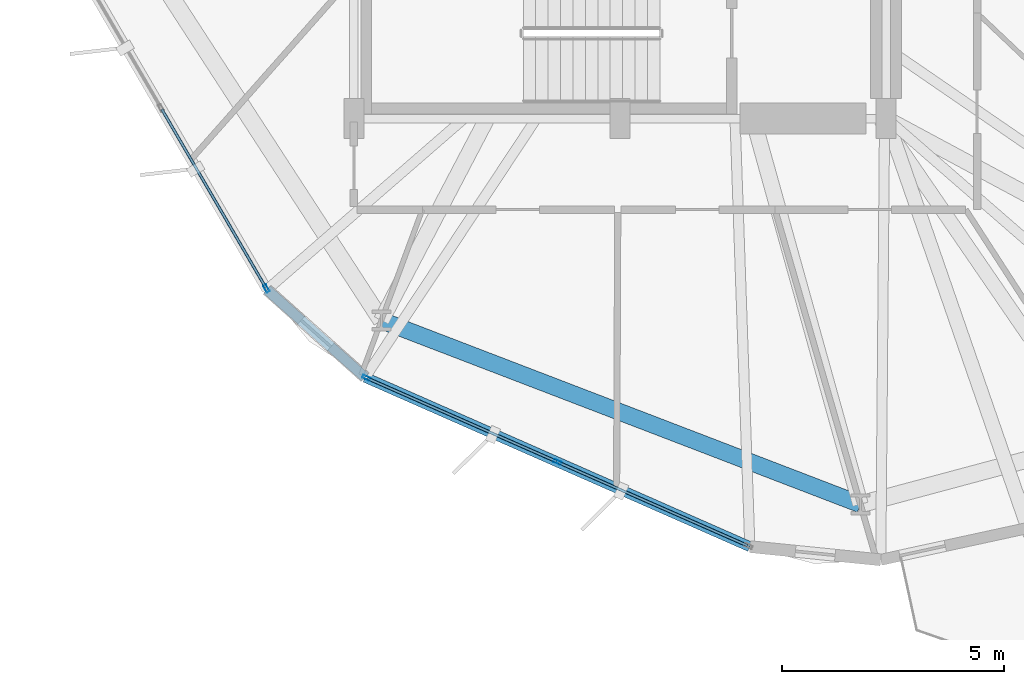
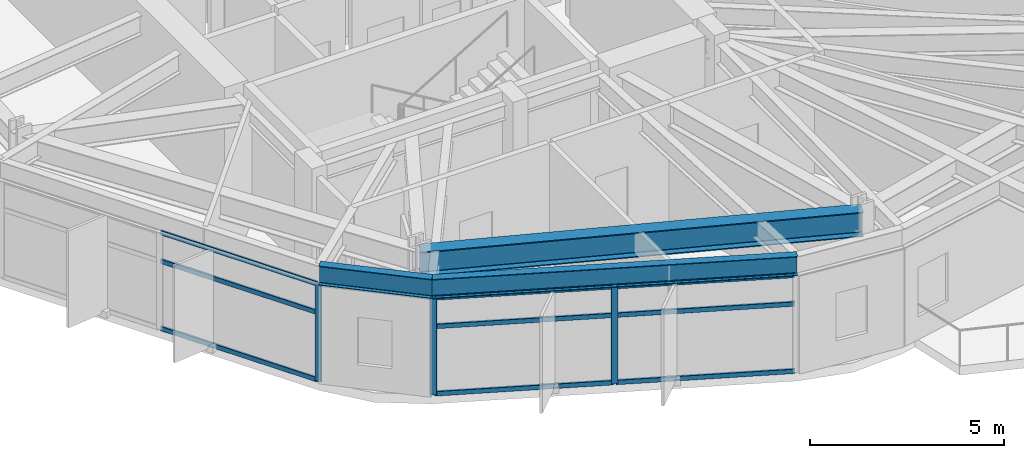
# One storey, part 2 of 22: 12 members, 3 beams, 2 elements without a shape of their own.
"""IFC4 building model written with IfcOpenShell, lengths in metres."""

from ifc_helpers import new_model, si_unit, direction, frame, origin, origin_2d, place, context, subcontext, project, spatial, hollow_rectangle, i_section, extrude, material, layer, layer_set, material_profile, profile_set, type_object, element, aggregate, save


model = new_model("IFC4")

# Units and contexts
model_context = context("Model", 3, precision=1e-05, world=origin(), true_north=direction((0.0, 1.0)))
body_context = subcontext(model_context, "Body", "Model", "MODEL_VIEW")
ifc_project = project(units=[si_unit("LENGTHUNIT", "METRE"), si_unit("AREAUNIT", "SQUARE_METRE"), si_unit("VOLUMEUNIT", "CUBIC_METRE"), si_unit("PLANEANGLEUNIT", "RADIAN"), si_unit("MASSUNIT", "GRAM", prefix="KILO")], contexts=[model_context])

# Site, building, storey
site_placement = place(None, origin())
site = spatial("IfcSite", under=ifc_project, at=site_placement, CompositionType="ELEMENT")
building_placement = place(site_placement, origin())
building = spatial("IfcBuilding", under=site, at=building_placement, Name="Soratama Intermodal Tower", CompositionType="ELEMENT")
storey_placement = place(building_placement, frame((0.0, 0.0, 74.60009765625)))
storey = spatial("IfcBuildingStorey", under=building, at=storey_placement, Name="L17", CompositionType="ELEMENT", Elevation=74.60009765625)

# Beams
ifc_material_1 = material(Name="Structural steel ASTM A992 Grade 50", Category="steel")
ifc_material_profile_1 = material_profile(ifc_material_1, i_section(OverallWidth=0.382080078125, OverallDepth=0.779052734375, WebThickness=0.01806640625, FlangeThickness=0.030029296875, FilletRadius=0.01806640625, at=origin_2d()), Name="W30X191")
ifc_profile_set_1 = profile_set([ifc_material_profile_1], Name="Structural steel ASTM A992 Grade 50")
beam_type_1 = type_object("IfcBeamType", Name="BM-RING-W30X191", PredefinedType="BEAM", material=ifc_profile_set_1)
beam_1_placement = place(storey_placement, frame((33.218994140625, 10.451904296875, 3.310302734375), z_axis=(0.933584159632, -0.358358224246, 0.0), x_axis=(0.358358224246, 0.933584159632, 0.0)))
element("IfcBeam", 1, at=beam_1_placement, inside=storey, type_object=beam_type_1, Name="BM-L17-RING-07", PredefinedType="BEAM", context=body_context, shape_type="SweptSolid", body=[
    extrude(i_section(OverallWidth=0.382080078125, OverallDepth=0.779052734375, WebThickness=0.01806640625, FlangeThickness=0.030029296875, FilletRadius=0.01806640625, at=origin_2d()), origin(), (0.0, 0.0, 1.0), 11.5693359375),
])
ifc_material_2 = material(Name="Structural steel ASTM A992 Grade 50", Category="steel")
ifc_material_profile_2 = material_profile(ifc_material_2, i_section(OverallWidth=0.22900390625, OverallDepth=0.612060546875, WebThickness=0.011962890625, FlangeThickness=0.01953125, FilletRadius=0.012939453125, at=origin_2d()), Name="W24X84")
ifc_profile_set_2 = profile_set([ifc_material_profile_2], Name="Structural steel ASTM A992 Grade 50")
beam_type_2 = type_object("IfcBeamType", Name="BM-SPN-W24X84", PredefinedType="SPANDREL", material=ifc_profile_set_2)
beam_2_placement = place(storey_placement, frame((30.639892578125, 11.14404296875, 3.393798828125), z_axis=(0.745927441422, -0.666027215761, 0.0), x_axis=(0.666027215761, 0.745927441422, 0.0)))
element("IfcBeam", 2, at=beam_2_placement, inside=storey, type_object=beam_type_2, Name="BS-L17-CRN06", PredefinedType="SPANDREL", context=body_context, shape_type="SweptSolid", body=[
    extrude(i_section(OverallWidth=0.22900390625, OverallDepth=0.612060546875, WebThickness=0.011962890625, FlangeThickness=0.01953125, FilletRadius=0.012939453125, at=origin_2d()), origin(), (0.0, 0.0, 1.0), 2.967041015625),
])
beam_3_placement = place(storey_placement, frame((32.85302734375, 9.16796875, 3.393798828125), z_axis=(0.91526526443, -0.402851704387, 0.0), x_axis=(0.402851704387, 0.91526526443, 0.0)))
element("IfcBeam", 3, at=beam_3_placement, inside=storey, type_object=beam_type_2, Name="BS-L17-F07", PredefinedType="SPANDREL", context=body_context, shape_type="SweptSolid", body=[
    extrude(i_section(OverallWidth=0.22900390625, OverallDepth=0.612060546875, WebThickness=0.011962890625, FlangeThickness=0.01953125, FilletRadius=0.012939453125, at=origin_2d()), origin(), (0.0, 0.0, 1.0), 9.47705078125),
])

# Curtain wall, member
ifc_material_3 = material(Name="Double-glazed aluminium curtain wall", Category="aluminium")
ifc_layer = layer(ifc_material_3, 0.159912109375)
ifc_layer_set = layer_set([ifc_layer], Name="Double-glazed aluminium curtain wall")
curtain_wall_type = type_object("IfcCurtainWallType", Name="CW-SYS-2", PredefinedType="NOTDEFINED", material=ifc_layer_set)
curtain_wall_1_placement = place(storey_placement, origin())
curtain_wall_1 = element("IfcCurtainWall", 4, at=curtain_wall_1_placement, inside=storey, type_object=curtain_wall_type, Name="L17 Faceted Curtain Wall F06", PredefinedType="NOTDEFINED")
ifc_material_4 = material(Name="Anodised aluminium AA 6063-T6", Category="aluminium")
ifc_material_profile_3 = material_profile(ifc_material_4, hollow_rectangle(XDim=0.074951171875, YDim=0.179931640625, WallThickness=0.006103515625, InnerFilletRadius=0.006103515625, OuterFilletRadius=0.011962890625, at=origin_2d()), Name="CWM180X75X6")
ifc_profile_set_3 = profile_set([ifc_material_profile_3], Name="Anodised aluminium AA 6063-T6")
member_type_1 = type_object("IfcMemberType", Name="MT-CWM-2", PredefinedType="MULLION", material=ifc_profile_set_3)
member_1_placement = place(storey_placement, frame((30.62548828125, 11.170166015625, 0.0), z_axis=(0.0, 0.0, 1.0), x_axis=(0.863925060088, 0.503620383377, 0.0)))
member_1 = element("IfcMember", 5, at=member_1_placement, type_object=member_type_1, Name="CW-2 mullion 3", PredefinedType="MULLION", context=body_context, shape_type="SweptSolid", body=[
    extrude(hollow_rectangle(XDim=0.074951171875, YDim=0.179931640625, WallThickness=0.006103515625, InnerFilletRadius=0.006103515625, OuterFilletRadius=0.011962890625, at=origin_2d()), origin(), (0.0, 0.0, 1.0), 3.078857421875),
])

# Curtain wall, members
curtain_wall_2_placement = place(storey_placement, origin())
curtain_wall_2 = element("IfcCurtainWall", 6, at=curtain_wall_2_placement, inside=storey, type_object=curtain_wall_type, Name="L17 Faceted Curtain Wall F07", PredefinedType="NOTDEFINED")
member_2_placement = place(storey_placement, frame((32.880859375, 9.156494140625, 0.0), z_axis=(0.0, 0.0, 1.0), x_axis=(0.402904100318, 0.915242200703, 0.0)))
member_2 = element("IfcMember", 7, at=member_2_placement, type_object=member_type_1, Name="CW-2 mullion 1", PredefinedType="MULLION", context=body_context, shape_type="SweptSolid", body=[
    extrude(hollow_rectangle(XDim=0.074951171875, YDim=0.179931640625, WallThickness=0.006103515625, InnerFilletRadius=0.006103515625, OuterFilletRadius=0.011962890625, at=origin_2d()), origin(), (0.0, 0.0, 1.0), 3.078857421875),
])
member_3_placement = place(storey_placement, frame((37.190185546875, 7.25927734375, 0.0), z_axis=(0.0, 0.0, 1.0), x_axis=(0.402904100318, 0.915242200703, 0.0)))
member_3 = element("IfcMember", 8, at=member_3_placement, type_object=member_type_1, Name="CW-2 mullion 2", PredefinedType="MULLION", context=body_context, shape_type="SweptSolid", body=[
    extrude(hollow_rectangle(XDim=0.074951171875, YDim=0.179931640625, WallThickness=0.006103515625, InnerFilletRadius=0.006103515625, OuterFilletRadius=0.011962890625, at=origin_2d()), origin(), (0.0, 0.0, 1.0), 3.078857421875),
])

# Member
ifc_material_5 = material(Name="Anodised aluminium AA 6063-T6", Category="aluminium")
ifc_material_profile_4 = material_profile(ifc_material_5, hollow_rectangle(XDim=0.06494140625, YDim=0.14990234375, WallThickness=0.0048828125, InnerFilletRadius=0.0048828125, OuterFilletRadius=0.010009765625, at=origin_2d()), Name="CWT150X65X5")
ifc_profile_set_4 = profile_set([ifc_material_profile_4], Name="Anodised aluminium AA 6063-T6")
member_type_2 = type_object("IfcMemberType", Name="TT-CWT-1", PredefinedType="USERDEFINED", material=ifc_profile_set_4)
member_4_placement = place(storey_placement, frame((28.269287109375, 15.212158203125, 0.02978515625), z_axis=(0.503603236823, -0.863935055349, 0.0), x_axis=(0.863935055349, 0.503603236823, 0.0)))
member_4 = element("IfcMember", 9, at=member_4_placement, type_object=member_type_2, Name="CW-2 transom 2.1", ObjectType="TRANSOM", PredefinedType="USERDEFINED", context=body_context, shape_type="SweptSolid", body=[
    extrude(hollow_rectangle(XDim=0.06494140625, YDim=0.14990234375, WallThickness=0.0048828125, InnerFilletRadius=0.0048828125, OuterFilletRadius=0.010009765625, at=origin_2d()), origin(), (0.0, 0.0, 1.0), 4.648681640625),
])

member_5_placement = place(storey_placement, frame((28.269287109375, 15.212158203125, 2.14990234375), z_axis=(0.503603236823, -0.863935055349, 0.0), x_axis=(0.863935055349, 0.503603236823, 0.0)))
member_5 = element("IfcMember", 10, at=member_5_placement, type_object=member_type_2, Name="CW-2 transom 2.2", ObjectType="TRANSOM", PredefinedType="USERDEFINED", context=body_context, shape_type="SweptSolid", body=[
    extrude(hollow_rectangle(XDim=0.06494140625, YDim=0.14990234375, WallThickness=0.0048828125, InnerFilletRadius=0.0048828125, OuterFilletRadius=0.010009765625, at=origin_2d()), origin(), (0.0, 0.0, 1.0), 4.648681640625),
])

member_6_placement = place(storey_placement, frame((28.269287109375, 15.212158203125, 3.048828125), z_axis=(0.503603236823, -0.863935055349, 0.0), x_axis=(0.863935055349, 0.503603236823, 0.0)))
member_6 = element("IfcMember", 11, at=member_6_placement, type_object=member_type_2, Name="CW-2 transom 2.3", ObjectType="TRANSOM", PredefinedType="USERDEFINED", context=body_context, shape_type="SweptSolid", body=[
    extrude(hollow_rectangle(XDim=0.06494140625, YDim=0.14990234375, WallThickness=0.0048828125, InnerFilletRadius=0.0048828125, OuterFilletRadius=0.010009765625, at=origin_2d()), origin(), (0.0, 0.0, 1.0), 4.648681640625),
])

aggregate(curtain_wall_1, [member_1, member_4, member_5, member_6])

member_7_placement = place(storey_placement, frame((32.908203125, 9.144287109375, 0.02978515625), z_axis=(0.915254617841, -0.402875892205, 0.0), x_axis=(0.402875892205, 0.915254617841, 0.0)))
member_7 = element("IfcMember", 12, at=member_7_placement, type_object=member_type_2, Name="CW-2 transom 1.1", ObjectType="TRANSOM", PredefinedType="USERDEFINED", context=body_context, shape_type="SweptSolid", body=[
    extrude(hollow_rectangle(XDim=0.06494140625, YDim=0.14990234375, WallThickness=0.0048828125, InnerFilletRadius=0.0048828125, OuterFilletRadius=0.010009765625, at=origin_2d()), origin(), (0.0, 0.0, 1.0), 4.648681640625),
])

member_8_placement = place(storey_placement, frame((32.908203125, 9.144287109375, 2.14990234375), z_axis=(0.915254617841, -0.402875892205, 0.0), x_axis=(0.402875892205, 0.915254617841, 0.0)))
member_8 = element("IfcMember", 13, at=member_8_placement, type_object=member_type_2, Name="CW-2 transom 1.2", ObjectType="TRANSOM", PredefinedType="USERDEFINED", context=body_context, shape_type="SweptSolid", body=[
    extrude(hollow_rectangle(XDim=0.06494140625, YDim=0.14990234375, WallThickness=0.0048828125, InnerFilletRadius=0.0048828125, OuterFilletRadius=0.010009765625, at=origin_2d()), origin(), (0.0, 0.0, 1.0), 4.648681640625),
])

member_9_placement = place(storey_placement, frame((32.908203125, 9.144287109375, 3.048828125), z_axis=(0.915254617841, -0.402875892205, 0.0), x_axis=(0.402875892205, 0.915254617841, 0.0)))
member_9 = element("IfcMember", 14, at=member_9_placement, type_object=member_type_2, Name="CW-2 transom 1.3", ObjectType="TRANSOM", PredefinedType="USERDEFINED", context=body_context, shape_type="SweptSolid", body=[
    extrude(hollow_rectangle(XDim=0.06494140625, YDim=0.14990234375, WallThickness=0.0048828125, InnerFilletRadius=0.0048828125, OuterFilletRadius=0.010009765625, at=origin_2d()), origin(), (0.0, 0.0, 1.0), 4.648681640625),
])

member_10_placement = place(storey_placement, frame((37.2177734375, 7.247314453125, 0.02978515625), z_axis=(0.915226724867, -0.402939253597, 0.0), x_axis=(0.402939253597, 0.915226724867, 0.0)))
member_10 = element("IfcMember", 15, at=member_10_placement, type_object=member_type_2, Name="CW-2 transom 2.1", ObjectType="TRANSOM", PredefinedType="USERDEFINED", context=body_context, shape_type="SweptSolid", body=[
    extrude(hollow_rectangle(XDim=0.06494140625, YDim=0.14990234375, WallThickness=0.0048828125, InnerFilletRadius=0.0048828125, OuterFilletRadius=0.010009765625, at=origin_2d()), origin(), (0.0, 0.0, 1.0), 4.6484375),
])

member_11_placement = place(storey_placement, frame((37.2177734375, 7.247314453125, 2.14990234375), z_axis=(0.915226724867, -0.402939253597, 0.0), x_axis=(0.402939253597, 0.915226724867, 0.0)))
member_11 = element("IfcMember", 16, at=member_11_placement, type_object=member_type_2, Name="CW-2 transom 2.2", ObjectType="TRANSOM", PredefinedType="USERDEFINED", context=body_context, shape_type="SweptSolid", body=[
    extrude(hollow_rectangle(XDim=0.06494140625, YDim=0.14990234375, WallThickness=0.0048828125, InnerFilletRadius=0.0048828125, OuterFilletRadius=0.010009765625, at=origin_2d()), origin(), (0.0, 0.0, 1.0), 4.6484375),
])

member_12_placement = place(storey_placement, frame((37.2177734375, 7.247314453125, 3.048828125), z_axis=(0.915226724867, -0.402939253597, 0.0), x_axis=(0.402939253597, 0.915226724867, 0.0)))
member_12 = element("IfcMember", 17, at=member_12_placement, type_object=member_type_2, Name="CW-2 transom 2.3", ObjectType="TRANSOM", PredefinedType="USERDEFINED", context=body_context, shape_type="SweptSolid", body=[
    extrude(hollow_rectangle(XDim=0.06494140625, YDim=0.14990234375, WallThickness=0.0048828125, InnerFilletRadius=0.0048828125, OuterFilletRadius=0.010009765625, at=origin_2d()), origin(), (0.0, 0.0, 1.0), 4.6484375),
])

aggregate(curtain_wall_2, [member_2, member_3, member_7, member_8, member_9, member_10, member_11, member_12])

save(model, "model.ifc")
